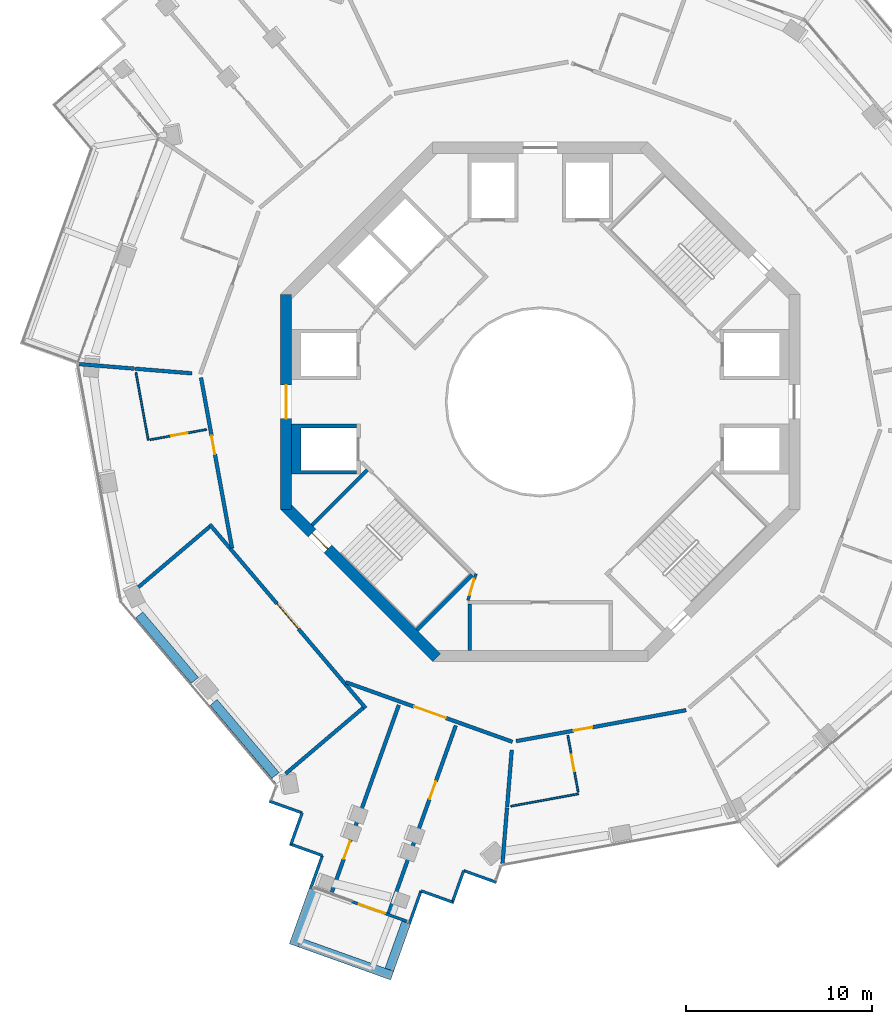
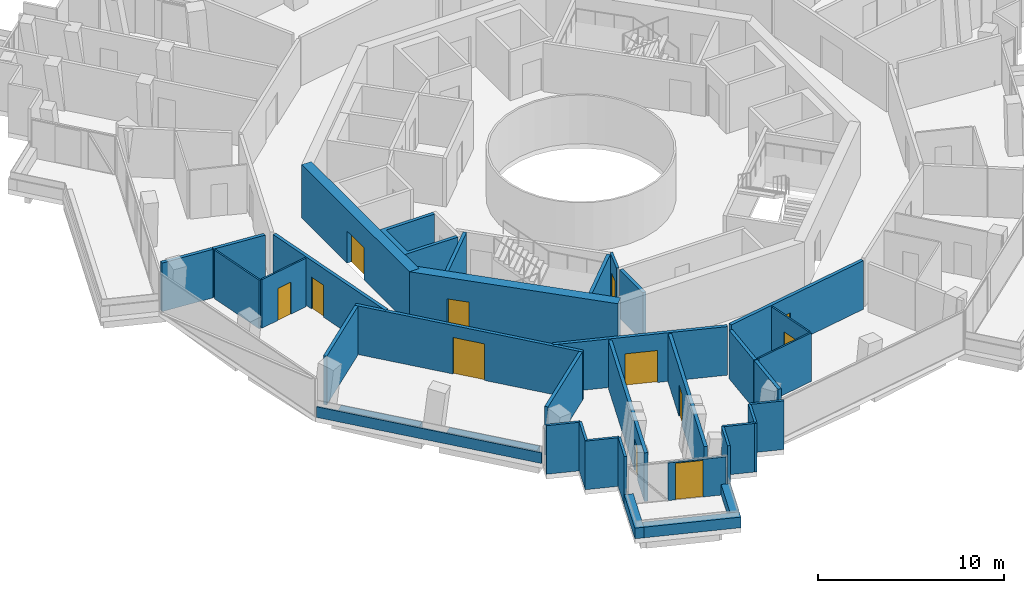
# One storey, part 14 of 21: 38 walls, 12 doors, 12 openings.
"""IFC4 building model written with IfcOpenShell, lengths in metres."""

from ifc_helpers import new_model, si_unit, direction, frame, frame_2d, origin, place, context, subcontext, project, spatial, polyline, rectangle, outline, extrude, material, layer, layer_set, type_object, element, fill, save


model = new_model("IFC4")

# Units and contexts
model_context = context("Model", 3, precision=1e-05, world=origin(), true_north=direction((0.0, 1.0)))
body_context = subcontext(model_context, "Body", "Model", "MODEL_VIEW")
ifc_project = project(units=[si_unit("LENGTHUNIT", "METRE"), si_unit("AREAUNIT", "SQUARE_METRE"), si_unit("VOLUMEUNIT", "CUBIC_METRE"), si_unit("PLANEANGLEUNIT", "RADIAN"), si_unit("MASSUNIT", "GRAM", prefix="KILO")], contexts=[model_context])

# Site, building, storey
site_placement = place(None, origin())
site = spatial("IfcSite", under=ifc_project, at=site_placement, CompositionType="ELEMENT")
building_placement = place(site_placement, origin())
building = spatial("IfcBuilding", under=site, at=building_placement, Name="Verdalira Terraces Hotel", CompositionType="ELEMENT")
storey_placement = place(building_placement, frame((0.0, 0.0, 197.5)))
storey = spatial("IfcBuildingStorey", under=building, at=storey_placement, Name="L48", CompositionType="ELEMENT", Elevation=197.5)

# Walls
ifc_material_1 = material(Name="Concrete C40", Category="concrete")
ifc_layer_1 = layer(ifc_material_1, 0.5)
ifc_layer_set_1 = layer_set([ifc_layer_1], Name="Balcony planter trough with tree")
wall_type_1 = type_object("IfcWallType", Name="Balcony planter trough with tree", PredefinedType="SOLIDWALL", material=ifc_layer_set_1)
wall_1_placement = place(storey_placement, frame((-12.214111, -26.28125, 0.0), z_axis=(0.0, 0.0, 1.0), x_axis=(-0.336805333, -0.941574303, 0.0)))
element("IfcWall", 1, at=wall_1_placement, inside=storey, type_object=wall_type_1, Name="Balcony planter", PredefinedType="SOLIDWALL", context=body_context, shape_type="SweptSolid", body=[
    extrude(rectangle(XDim=3.198975, YDim=0.5, at=frame_2d((1.599609, 0.0))), origin(), (0.0, 0.0, 1.0), 0.699951),
])
wall_2_placement = place(storey_placement, frame((-12.97168, -29.14209, 0.0), z_axis=(0.0, 0.0, 1.0), x_axis=(0.941581304, -0.336785759, 0.0)))
element("IfcWall", 2, at=wall_2_placement, inside=storey, type_object=wall_type_1, Name="Balcony planter", PredefinedType="SOLIDWALL", context=body_context, shape_type="SweptSolid", body=[
    extrude(rectangle(XDim=5.299805, YDim=0.5, at=frame_2d((2.649902, 0.0))), origin(), (0.0, 0.0, 1.0), 0.699951),
])
wall_3_placement = place(storey_placement, frame((-8.132568, -30.607422, 0.0), z_axis=(0.0, 0.0, 1.0), x_axis=(0.336748919, 0.94159448, 0.0)))
element("IfcWall", 3, at=wall_3_placement, inside=storey, type_object=wall_type_1, Name="Balcony planter", PredefinedType="SOLIDWALL", context=body_context, shape_type="SweptSolid", body=[
    extrude(rectangle(XDim=2.699219, YDim=0.5, at=frame_2d((1.349609, 0.0))), origin(), (0.0, 0.0, 1.0), 0.699951),
])
ifc_material_2 = material(Name="Moisture-resistant gypsum board partition")
ifc_layer_2 = layer(ifc_material_2, 0.10009765625)
ifc_layer_set_2 = layer_set([ifc_layer_2], Name="Bathroom partition 100 mm")
wall_type_2 = type_object("IfcWallType", Name="Bathroom partition 100 mm", PredefinedType="PARTITIONING", material=ifc_layer_set_2)
wall_4_placement = place(storey_placement, frame((-21.131104, -2.060547, 0.0), z_axis=(0.0, 0.0, 1.0), x_axis=(-0.179152249, 0.983821362, 0.0)))
element("IfcWall", 4, at=wall_4_placement, inside=storey, type_object=wall_type_2, Name="Bathroom partition", PredefinedType="PARTITIONING", context=body_context, shape_type="SweptSolid", body=[
    extrude(rectangle(XDim=3.703857, YDim=0.100098, at=frame_2d((1.852051, 0.0))), origin(), (0.0, 0.0, 1.0), 3.189941),
])

# Wall, opening, door
wall_5_placement = place(storey_placement, frame((-21.032715, -2.04248, 0.0), z_axis=(0.0, 0.0, 1.0), x_axis=(0.983832085, 0.179093353, 0.0)))
wall_5 = element("IfcWall", 5, at=wall_5_placement, inside=storey, type_object=wall_type_2, Name="Bathroom partition", PredefinedType="PARTITIONING", context=body_context, shape_type="SweptSolid", body=[
    extrude(rectangle(XDim=3.099854, YDim=0.100098, at=frame_2d((1.549805, 0.0))), origin(), (0.0, 0.0, 1.0), 3.189941),
])
opening_1_placement = place(wall_5_placement, frame((1.149902, 0.0, 0.0)))
opening_1 = element("IfcOpeningElement", 6, at=opening_1_placement, cuts=wall_5, Name="Opening L48-107", PredefinedType="OPENING", context=body_context, shape_type="SweptSolid", body=[
    extrude(rectangle(XDim=0.899902, YDim=2.100098, at=frame_2d((0.449951, 1.050049))), frame((0.0, 0.060059, 0.0), z_axis=(0.0, -1.0, 0.0), x_axis=(1.0, 0.0, 0.0)), (0.0, 0.0, 1.0), 0.120117),
])
ifc_material_3 = material(Name="Timber door", Category="wood")
door_type_1 = type_object("IfcDoorType", Name="Bathroom door 900 x 2100", OperationType="NOTDEFINED", PredefinedType="DOOR", material=ifc_material_3)
door_1_placement = place(opening_1_placement, origin())
door_1 = element("IfcDoor", 7, at=door_1_placement, inside=storey, type_object=door_type_1, Name="Bathroom door 4803", OperationType="SINGLE_SWING_LEFT", OverallHeight=2.10009765625, OverallWidth=0.89990234375, PredefinedType="DOOR", context=body_context, shape_type="SweptSolid", body=[
    extrude(rectangle(XDim=0.899902, YDim=2.100098, at=frame_2d((0.449951, 1.050049))), frame((0.0, 0.024902, 0.0), z_axis=(0.0, -1.0, 0.0), x_axis=(1.0, 0.0, 0.0)), (0.0, 0.0, 1.0), 0.050049),
])
fill(opening_1, door_1)

# Wall
wall_6_placement = place(storey_placement, frame((2.060547, -21.131104, 0.0), z_axis=(0.0, 0.0, 1.0), x_axis=(-0.983821362, -0.179152249, 0.0)))
element("IfcWall", 8, at=wall_6_placement, inside=storey, type_object=wall_type_2, Name="Bathroom partition", PredefinedType="PARTITIONING", context=body_context, shape_type="SweptSolid", body=[
    extrude(rectangle(XDim=3.703857, YDim=0.100098, at=frame_2d((1.852051, 0.0))), origin(), (0.0, 0.0, 1.0), 3.189941),
])

# Wall, opening, door
wall_7_placement = place(storey_placement, frame((2.04248, -21.032715, 0.0), z_axis=(0.0, 0.0, 1.0), x_axis=(-0.179093353, 0.983832085, 0.0)))
wall_7 = element("IfcWall", 9, at=wall_7_placement, inside=storey, type_object=wall_type_2, Name="Bathroom partition", PredefinedType="PARTITIONING", context=body_context, shape_type="SweptSolid", body=[
    extrude(rectangle(XDim=3.099854, YDim=0.100098, at=frame_2d((1.549805, 0.0))), origin(), (0.0, 0.0, 1.0), 3.189941),
])
opening_2_placement = place(wall_7_placement, frame((1.149902, 0.0, 0.0)))
opening_2 = element("IfcOpeningElement", 10, at=opening_2_placement, cuts=wall_7, Name="Opening L48-112", PredefinedType="OPENING", context=body_context, shape_type="SweptSolid", body=[
    extrude(rectangle(XDim=0.899902, YDim=2.100098, at=frame_2d((0.449951, 1.050049))), frame((0.0, 0.060059, 0.0), z_axis=(0.0, -1.0, 0.0), x_axis=(1.0, 0.0, 0.0)), (0.0, 0.0, 1.0), 0.120117),
])
door_2_placement = place(opening_2_placement, origin())
door_2 = element("IfcDoor", 11, at=door_2_placement, inside=storey, type_object=door_type_1, Name="Bathroom door 4805", OperationType="SINGLE_SWING_LEFT", OverallHeight=2.10009765625, OverallWidth=0.89990234375, PredefinedType="DOOR", context=body_context, shape_type="SweptSolid", body=[
    extrude(rectangle(XDim=0.899902, YDim=2.100098, at=frame_2d((0.449951, 1.050049))), frame((0.0, 0.024902, 0.0), z_axis=(0.0, -1.0, 0.0), x_axis=(1.0, 0.0, 0.0)), (0.0, 0.0, 1.0), 0.050049),
])
fill(opening_2, door_2)

# Walls
ifc_material_4 = material(Name="Concrete C50", Category="concrete")
ifc_layer_3 = layer(ifc_material_4, 0.199951171875)
ifc_layer_set_3 = layer_set([ifc_layer_3], Name="Core RC wall 200 C50")
wall_type_3 = type_object("IfcWallType", Name="Core RC wall 200 C50", PredefinedType="SOLIDWALL", material=ifc_layer_set_3)
wall_8_placement = place(storey_placement, origin())
element("IfcWall", 12, at=wall_8_placement, inside=storey, type_object=wall_type_3, Name="L48 shaft wall W2", PredefinedType="SOLIDWALL", context=body_context, shape_type="SweptSolid", body=[
    extrude(outline(polyline([(-13.399902, -3.899902), (-13.399902, -1.199951), (-9.899902, -1.199951), (-9.899902, -1.399902), (-12.899902, -1.399902), (-12.899902, -3.699951), (-9.899902, -3.699951), (-9.899902, -3.899902), (-13.399902, -3.899902)])), origin(), (0.0, 0.0, 1.0), 3.189941),
])
wall_9_placement = place(storey_placement, frame((-3.800049, -10.899902, 0.0), z_axis=(0.0, 0.0, 1.0), x_axis=(0.0, -1.0, 0.0)))
element("IfcWall", 13, at=wall_9_placement, inside=storey, type_object=wall_type_3, Name="L48 store side wall", PredefinedType="SOLIDWALL", context=body_context, shape_type="SweptSolid", body=[
    extrude(rectangle(XDim=2.5, YDim=0.199951, at=frame_2d((1.25, 0.0))), origin(), (0.0, 0.0, 1.0), 3.189941),
])
for number, where, z_axis, x_axis, name in (
    (14, (-9.33374, -3.677002, 0.0), (0.0, 0.0, 1.0), (-0.707135845, -0.707077716, 0.0), "L48 stair ST2 end wall 1"),
    (15, (-3.677002, -9.33374, 0.0), (0.0, 0.0, 1.0), (-0.707077716, -0.707135845, 0.0), "L48 stair ST2 end wall 2"),
):
    element("IfcWall", number, at=place(storey_placement, frame(where, z_axis=z_axis, x_axis=x_axis)), inside=storey, type_object=wall_type_3, Name=name, PredefinedType="SOLIDWALL", context=body_context, shape_type="SweptSolid", body=[
        extrude(rectangle(XDim=4.199951, YDim=0.199951, at=frame_2d((2.100098, 0.0))), origin(), (0.0, 0.0, 1.0), 3.189941),
    ])

# Wall, opening, door
ifc_material_5 = material(Name="Gypsum board partition")
ifc_layer_4 = layer(ifc_material_5, 0.14990234375)
ifc_layer_set_4 = layer_set([ifc_layer_4], Name="Core partition 150 mm")
wall_type_4 = type_object("IfcWallType", Name="Core partition 150 mm", PredefinedType="PARTITIONING", material=ifc_layer_set_4)
wall_10_placement = place(storey_placement, frame((-3.464844, -9.263184, 0.0), z_axis=(0.0, 0.0, 1.0), x_axis=(-0.289808785, -0.957084567, 0.0)))
wall_10 = element("IfcWall", 16, at=wall_10_placement, inside=storey, type_object=wall_type_4, Name="Room partition L48", PredefinedType="PARTITIONING", context=body_context, shape_type="SweptSolid", body=[
    extrude(rectangle(XDim=1.501221, YDim=0.149902, at=frame_2d((0.750488, 0.0))), origin(), (0.0, 0.0, 1.0), 3.189941),
])
opening_3_placement = place(wall_10_placement, frame((0.300781, 0.0, 0.0)))
opening_3 = element("IfcOpeningElement", 17, at=opening_3_placement, cuts=wall_10, Name="Opening L48-822", PredefinedType="OPENING", context=body_context, shape_type="SweptSolid", body=[
    extrude(rectangle(XDim=0.899902, YDim=2.100098, at=frame_2d((0.449951, 1.050049))), frame((0.0, 0.084961, 0.0), z_axis=(0.0, -1.0, 0.0), x_axis=(1.0, 0.0, 0.0)), (0.0, 0.0, 1.0), 0.169922),
])
ifc_material_6 = material(Name="Steel fire door", Category="steel")
door_type_2 = type_object("IfcDoorType", Name="Core room door 900 x 2100", OperationType="NOTDEFINED", PredefinedType="DOOR", material=ifc_material_6)
door_3_placement = place(opening_3_placement, origin())
door_3 = element("IfcDoor", 18, at=door_3_placement, inside=storey, type_object=door_type_2, Name="Door L48 room5", OperationType="SINGLE_SWING_LEFT", OverallHeight=2.10009765625, OverallWidth=0.89990234375, PredefinedType="DOOR", context=body_context, shape_type="SweptSolid", body=[
    extrude(rectangle(XDim=0.899902, YDim=2.100098, at=frame_2d((0.449951, 1.050049))), frame((0.0, 0.024902, 0.0), z_axis=(0.0, -1.0, 0.0), x_axis=(1.0, 0.0, 0.0)), (0.0, 0.0, 1.0), 0.050049),
])
fill(opening_3, door_3)

ifc_material_7 = material(Name="Concrete C60", Category="concrete")
ifc_layer_5 = layer(ifc_material_7, 0.60009765625)
ifc_layer_set_5 = layer_set([ifc_layer_5], Name="Core wall 600 C60")
wall_type_5 = type_object("IfcWallType", Name="Core wall 600 C60", PredefinedType="SHEAR", material=ifc_layer_set_5)
wall_11_placement = place(storey_placement, frame((-13.699951, 5.799072, 0.0), z_axis=(0.0, 0.0, 1.0), x_axis=(0.0, -1.0, 0.0)))
wall_11 = element("IfcWall", 19, at=wall_11_placement, inside=storey, type_object=wall_type_5, Name="Core wall CW-L48-5", PredefinedType="SHEAR", context=body_context, shape_type="SweptSolid", body=[
    extrude(rectangle(XDim=11.598145, YDim=0.600098, at=frame_2d((5.799072, 0.0))), origin(), (0.0, 0.0, 1.0), 3.5),
])
opening_4_placement = place(wall_11_placement, frame((4.898926, 0.0, 0.0)))
opening_4 = element("IfcOpeningElement", 20, at=opening_4_placement, cuts=wall_11, Name="Opening L48-815", PredefinedType="OPENING", context=body_context, shape_type="SweptSolid", body=[
    extrude(rectangle(XDim=1.800049, YDim=2.100098, at=frame_2d((0.899902, 1.050049))), frame((0.0, 0.310059, 0.0), z_axis=(0.0, -1.0, 0.0), x_axis=(1.0, 0.0, 0.0)), (0.0, 0.0, 1.0), 0.620117),
])
ifc_material_8 = material(Name="Steel fire door", Category="steel")
door_type_3 = type_object("IfcDoorType", Name="Core entry door pair 1800 x 2100", OperationType="NOTDEFINED", PredefinedType="DOOR", material=ifc_material_8)
door_4_placement = place(opening_4_placement, origin())
door_4 = element("IfcDoor", 21, at=door_4_placement, inside=storey, type_object=door_type_3, Name="Core entry door L48 4", OperationType="DOUBLE_DOOR_SINGLE_SWING", OverallHeight=2.10009765625, OverallWidth=1.800048828125, PredefinedType="DOOR", context=body_context, shape_type="SweptSolid", body=[
    extrude(rectangle(XDim=1.800049, YDim=2.100098, at=frame_2d((0.899902, 1.050049))), frame((0.0, 0.024902, 0.0), z_axis=(0.0, -1.0, 0.0), x_axis=(1.0, 0.0, 0.0)), (0.0, 0.0, 1.0), 0.050049),
])
fill(opening_4, door_4)

wall_12_placement = place(storey_placement, frame((-13.787842, -5.586914, 0.0), z_axis=(0.0, 0.0, 1.0), x_axis=(0.707106781, -0.707106781, 0.0)))
wall_12 = element("IfcWall", 22, at=wall_12_placement, inside=storey, type_object=wall_type_5, Name="Core wall CW-L48-6", PredefinedType="SHEAR", context=body_context, shape_type="SweptSolid", body=[
    extrude(rectangle(XDim=11.5979, YDim=0.600098, at=frame_2d((5.798828, 0.0))), origin(), (0.0, 0.0, 1.0), 3.5),
])
opening_5_placement = place(wall_12_placement, frame((2.099121, 0.0, 0.0)))
opening_5 = element("IfcOpeningElement", 23, at=opening_5_placement, cuts=wall_12, Name="Opening L48-817", PredefinedType="OPENING", context=body_context, shape_type="SweptSolid", body=[
    extrude(rectangle(XDim=1.199951, YDim=2.100098, at=frame_2d((0.600098, 1.050049))), frame((0.0, 0.310059, 0.0), z_axis=(0.0, -1.0, 0.0), x_axis=(1.0, 0.0, 0.0)), (0.0, 0.0, 1.0), 0.620117),
])
ifc_material_9 = material(Name="Steel fire door", Category="steel")
door_type_4 = type_object("IfcDoorType", Name="Stair door 1200 x 2100", OperationType="NOTDEFINED", PredefinedType="DOOR", material=ifc_material_9)
door_5_placement = place(opening_5_placement, origin())
door_5 = element("IfcDoor", 24, at=door_5_placement, inside=storey, type_object=door_type_4, Name="Stair exit door ST2 L48", OperationType="SINGLE_SWING_LEFT", OverallHeight=2.10009765625, OverallWidth=1.199951171875, PredefinedType="DOOR", context=body_context, shape_type="SweptSolid", body=[
    extrude(rectangle(XDim=1.199951, YDim=2.100098, at=frame_2d((0.600098, 1.050049))), frame((0.0, 0.024902, 0.0), z_axis=(0.0, -1.0, 0.0), x_axis=(1.0, 0.0, 0.0)), (0.0, 0.0, 1.0), 0.050049),
])
fill(opening_5, door_5)

# Walls
ifc_material_10 = material(Name="Fire-rated gypsum board wall")
ifc_layer_6 = layer(ifc_material_10, 0.199951171875)
ifc_layer_set_6 = layer_set([ifc_layer_6], Name="Demising wall 200 mm")
wall_type_6 = type_object("IfcWallType", Name="Demising wall 200 mm", PredefinedType="SOLIDWALL", material=ifc_layer_set_6)
wall_13_placement = place(storey_placement, frame((-21.879395, 1.791016, 0.0), z_axis=(0.0, 0.0, 1.0), x_axis=(-0.996662173, 0.081636474, 0.0)))
element("IfcWall", 25, at=wall_13_placement, inside=storey, type_object=wall_type_6, Name="Demising wall", PredefinedType="SOLIDWALL", context=body_context, shape_type="SweptSolid", body=[
    extrude(rectangle(XDim=3.011475, YDim=0.199951, at=frame_2d((1.505859, 0.0))), origin(), (0.0, 0.0, 1.0), 3.189941),
])
wall_14_placement = place(storey_placement, frame((-18.769287, 1.536621, 0.0), z_axis=(0.0, 0.0, 1.0), x_axis=(-0.996669487, 0.081547129, 0.0)))
element("IfcWall", 26, at=wall_14_placement, inside=storey, type_object=wall_type_6, Name="Demising wall", PredefinedType="SOLIDWALL", context=body_context, shape_type="SweptSolid", body=[
    extrude(rectangle(XDim=3.074707, YDim=0.199951, at=frame_2d((1.537354, 0.0))), origin(), (0.0, 0.0, 1.0), 3.189941),
])

# Wall, opening, door
wall_15_placement = place(storey_placement, frame((-11.24585, -26.467041, 0.0), z_axis=(0.0, 0.0, 1.0), x_axis=(0.336776598, 0.941584581, 0.0)))
wall_15 = element("IfcWall", 27, at=wall_15_placement, inside=storey, type_object=wall_type_6, Name="Demising wall", PredefinedType="SOLIDWALL", context=body_context, shape_type="SweptSolid", body=[
    extrude(rectangle(XDim=10.75, YDim=0.199951, at=frame_2d((5.375, 0.0))), origin(), (0.0, 0.0, 1.0), 3.189941),
])
opening_6_placement = place(wall_15_placement, frame((1.949951, 0.0, 0.0)))
opening_6 = element("IfcOpeningElement", 28, at=opening_6_placement, cuts=wall_15, Name="Opening L48-109", PredefinedType="OPENING", context=body_context, shape_type="SweptSolid", body=[
    extrude(rectangle(XDim=1.0, YDim=2.100098, at=frame_2d((0.5, 1.050049))), frame((0.0, 0.109863, 0.0), z_axis=(0.0, -1.0, 0.0), x_axis=(1.0, 0.0, 0.0)), (0.0, 0.0, 1.0), 0.219971),
])
ifc_material_11 = material(Name="Timber fire door", Category="wood")
door_type_5 = type_object("IfcDoorType", Name="Public room door 1000 x 2100", OperationType="NOTDEFINED", PredefinedType="DOOR", material=ifc_material_11)
door_6_placement = place(opening_6_placement, origin())
door_6 = element("IfcDoor", 29, at=door_6_placement, inside=storey, type_object=door_type_5, Name="Public room door 4804", OperationType="SINGLE_SWING_LEFT", OverallHeight=2.10009765625, OverallWidth=1.0, PredefinedType="DOOR", context=body_context, shape_type="SweptSolid", body=[
    extrude(rectangle(XDim=1.0, YDim=2.100098, at=frame_2d((0.5, 1.050049))), frame((0.0, 0.024902, 0.0), z_axis=(0.0, -1.0, 0.0), x_axis=(1.0, 0.0, 0.0)), (0.0, 0.0, 1.0), 0.050049),
])
fill(opening_6, door_6)

wall_16_placement = place(storey_placement, frame((-4.551514, -17.44458, 0.0), z_axis=(0.0, 0.0, 1.0), x_axis=(-0.3367838, -0.941582005, 0.0)))
wall_16 = element("IfcWall", 30, at=wall_16_placement, inside=storey, type_object=wall_type_6, Name="Demising wall", PredefinedType="SOLIDWALL", context=body_context, shape_type="SweptSolid", body=[
    extrude(rectangle(XDim=10.749756, YDim=0.199951, at=frame_2d((5.375, 0.0))), origin(), (0.0, 0.0, 1.0), 3.189941),
])
opening_7_placement = place(wall_16_placement, frame((3.199951, 0.0, 0.0)))
opening_7 = element("IfcOpeningElement", 31, at=opening_7_placement, cuts=wall_16, Name="Opening L48-110", PredefinedType="OPENING", context=body_context, shape_type="SweptSolid", body=[
    extrude(rectangle(XDim=1.0, YDim=2.100098, at=frame_2d((0.5, 1.050049))), frame((0.0, 0.109863, 0.0), z_axis=(0.0, -1.0, 0.0), x_axis=(1.0, 0.0, 0.0)), (0.0, 0.0, 1.0), 0.219971),
])
door_7_placement = place(opening_7_placement, origin())
door_7 = element("IfcDoor", 32, at=door_7_placement, inside=storey, type_object=door_type_5, Name="Public room door 4804", OperationType="SINGLE_SWING_LEFT", OverallHeight=2.10009765625, OverallWidth=1.0, PredefinedType="DOOR", context=body_context, shape_type="SweptSolid", body=[
    extrude(rectangle(XDim=1.0, YDim=2.100098, at=frame_2d((0.5, 1.050049))), frame((0.0, 0.024902, 0.0), z_axis=(0.0, -1.0, 0.0), x_axis=(1.0, 0.0, 0.0)), (0.0, 0.0, 1.0), 0.050049),
])
fill(opening_7, door_7)

# Walls
wall_17_placement = place(storey_placement, frame((-1.791016, -21.879395, 0.0), z_axis=(0.0, 0.0, 1.0), x_axis=(-0.081636474, -0.996662173, 0.0)))
element("IfcWall", 33, at=wall_17_placement, inside=storey, type_object=wall_type_6, Name="Demising wall", PredefinedType="SOLIDWALL", context=body_context, shape_type="SweptSolid", body=[
    extrude(rectangle(XDim=3.011475, YDim=0.199951, at=frame_2d((1.505859, 0.0))), origin(), (0.0, 0.0, 1.0), 3.189941),
])
wall_18_placement = place(storey_placement, frame((-1.536621, -18.769287, 0.0), z_axis=(0.0, 0.0, 1.0), x_axis=(-0.081547129, -0.996669487, 0.0)))
element("IfcWall", 34, at=wall_18_placement, inside=storey, type_object=wall_type_6, Name="Demising wall", PredefinedType="SOLIDWALL", context=body_context, shape_type="SweptSolid", body=[
    extrude(rectangle(XDim=3.074707, YDim=0.199951, at=frame_2d((1.537354, 0.0))), origin(), (0.0, 0.0, 1.0), 3.189941),
])

# Wall, opening, door
ifc_material_12 = material(Name="Fire-rated gypsum board wall")
ifc_layer_7 = layer(ifc_material_12, 0.199951171875)
ifc_layer_set_7 = layer_set([ifc_layer_7], Name="Guest corridor wall 200 mm")
wall_type_7 = type_object("IfcWallType", Name="Guest corridor wall 200 mm", PredefinedType="SOLIDWALL", material=ifc_layer_set_7)
wall_19_placement = place(storey_placement, frame((-16.61499, -7.882324, 0.0), z_axis=(0.0, 0.0, 1.0), x_axis=(-0.179145456, 0.983822599, 0.0)))
wall_19 = element("IfcWall", 35, at=wall_19_placement, inside=storey, type_object=wall_type_7, Name="Guest corridor wall", PredefinedType="SOLIDWALL", context=body_context, shape_type="SweptSolid", body=[
    extrude(rectangle(XDim=9.33667, YDim=0.199951, at=frame_2d((4.668457, 0.0))), origin(), (0.0, 0.0, 1.0), 3.189941),
])
opening_8_placement = place(wall_19_placement, frame((5.149902, 0.0, 0.0)))
opening_8 = element("IfcOpeningElement", 36, at=opening_8_placement, cuts=wall_19, Name="Opening L48-106", PredefinedType="OPENING", context=body_context, shape_type="SweptSolid", body=[
    extrude(rectangle(XDim=1.0, YDim=2.100098, at=frame_2d((0.5, 1.050049))), frame((0.0, 0.109863, 0.0), z_axis=(0.0, -1.0, 0.0), x_axis=(1.0, 0.0, 0.0)), (0.0, 0.0, 1.0), 0.219971),
])
ifc_material_13 = material(Name="Timber fire door", Category="wood")
door_type_6 = type_object("IfcDoorType", Name="Guest entry door 1000 x 2100", OperationType="NOTDEFINED", PredefinedType="DOOR", material=ifc_material_13)
door_8_placement = place(opening_8_placement, origin())
door_8 = element("IfcDoor", 37, at=door_8_placement, inside=storey, type_object=door_type_6, Name="Guest entry door 4803", OperationType="SINGLE_SWING_LEFT", OverallHeight=2.10009765625, OverallWidth=1.0, PredefinedType="DOOR", context=body_context, shape_type="SweptSolid", body=[
    extrude(rectangle(XDim=1.0, YDim=2.100098, at=frame_2d((0.5, 1.050049))), frame((0.0, 0.024902, 0.0), z_axis=(0.0, -1.0, 0.0), x_axis=(1.0, 0.0, 0.0)), (0.0, 0.0, 1.0), 0.050049),
])
fill(opening_8, door_8)

wall_20_placement = place(storey_placement, frame((-1.5, -18.323486, 0.0), z_axis=(0.0, 0.0, 1.0), x_axis=(-0.941585427, 0.336774233, 0.0)))
wall_20 = element("IfcWall", 38, at=wall_20_placement, inside=storey, type_object=wall_type_7, Name="Guest corridor wall", PredefinedType="SOLIDWALL", context=body_context, shape_type="SweptSolid", body=[
    extrude(rectangle(XDim=9.536621, YDim=0.199951, at=frame_2d((4.768311, 0.0))), origin(), (0.0, 0.0, 1.0), 3.189941),
])
opening_9_placement = place(wall_20_placement, frame((3.819336, 0.0, 0.0)))
opening_9 = element("IfcOpeningElement", 39, at=opening_9_placement, cuts=wall_20, Name="Opening L48-108", PredefinedType="OPENING", context=body_context, shape_type="SweptSolid", body=[
    extrude(rectangle(XDim=1.800049, YDim=2.100098, at=frame_2d((0.899902, 1.050049))), frame((0.0, 0.109863, 0.0), z_axis=(0.0, -1.0, 0.0), x_axis=(1.0, 0.0, 0.0)), (0.0, 0.0, 1.0), 0.219971),
])
ifc_material_14 = material(Name="Timber fire door", Category="wood")
door_type_7 = type_object("IfcDoorType", Name="Public room double door 1800 x 2100", OperationType="NOTDEFINED", PredefinedType="DOOR", material=ifc_material_14)
door_9_placement = place(opening_9_placement, origin())
door_9 = element("IfcDoor", 40, at=door_9_placement, inside=storey, type_object=door_type_7, Name="Public room double door 4804", OperationType="DOUBLE_DOOR_SINGLE_SWING", OverallHeight=2.10009765625, OverallWidth=1.800048828125, PredefinedType="DOOR", context=body_context, shape_type="SweptSolid", body=[
    extrude(rectangle(XDim=1.800049, YDim=2.100098, at=frame_2d((0.899902, 1.050049))), frame((0.0, 0.024902, 0.0), z_axis=(0.0, -1.0, 0.0), x_axis=(1.0, 0.0, 0.0)), (0.0, 0.0, 1.0), 0.050049),
])
fill(opening_9, door_9)

wall_21_placement = place(storey_placement, frame((7.862549, -16.618652, 0.0), z_axis=(0.0, 0.0, 1.0), x_axis=(-0.983823756, -0.179139099, 0.0)))
wall_21 = element("IfcWall", 41, at=wall_21_placement, inside=storey, type_object=wall_type_7, Name="Guest corridor wall", PredefinedType="SOLIDWALL", context=body_context, shape_type="SweptSolid", body=[
    extrude(rectangle(XDim=9.316406, YDim=0.199951, at=frame_2d((4.658203, 0.0))), origin(), (0.0, 0.0, 1.0), 3.189941),
])
opening_10_placement = place(wall_21_placement, frame((5.149902, 0.0, 0.0)))
opening_10 = element("IfcOpeningElement", 42, at=opening_10_placement, cuts=wall_21, Name="Opening L48-111", PredefinedType="OPENING", context=body_context, shape_type="SweptSolid", body=[
    extrude(rectangle(XDim=1.0, YDim=2.100098, at=frame_2d((0.5, 1.050049))), frame((0.0, 0.109863, 0.0), z_axis=(0.0, -1.0, 0.0), x_axis=(1.0, 0.0, 0.0)), (0.0, 0.0, 1.0), 0.219971),
])
door_10_placement = place(opening_10_placement, origin())
door_10 = element("IfcDoor", 43, at=door_10_placement, inside=storey, type_object=door_type_6, Name="Guest entry door 4805", OperationType="SINGLE_SWING_LEFT", OverallHeight=2.10009765625, OverallWidth=1.0, PredefinedType="DOOR", context=body_context, shape_type="SweptSolid", body=[
    extrude(rectangle(XDim=1.0, YDim=2.100098, at=frame_2d((0.5, 1.050049))), frame((0.0, 0.024902, 0.0), z_axis=(0.0, -1.0, 0.0), x_axis=(1.0, 0.0, 0.0)), (0.0, 0.0, 1.0), 0.050049),
])
fill(opening_10, door_10)

ifc_material_15 = material(Name="Terracotta cladding", Category="masonry")
ifc_layer_8 = layer(ifc_material_15, 0.199951171875)
ifc_layer_set_8 = layer_set([ifc_layer_8], Name="Loggia back wall 200")
wall_type_8 = type_object("IfcWallType", Name="Loggia back wall 200", PredefinedType="SOLIDWALL", material=ifc_layer_set_8)
wall_22_placement = place(storey_placement, frame((-9.410156, -16.51123, 0.0), z_axis=(0.0, 0.0, 1.0), x_axis=(-0.647046931, 0.762450175, 0.0)))
wall_22 = element("IfcWall", 44, at=wall_22_placement, inside=storey, type_object=wall_type_8, Name="Loggia back wall", PredefinedType="SOLIDWALL", context=body_context, shape_type="SweptSolid", body=[
    extrude(rectangle(XDim=13.0, YDim=0.199951, at=frame_2d((6.5, 0.0))), origin(), (0.0, 0.0, 1.0), 3.189941),
])
opening_11_placement = place(wall_22_placement, frame((5.600098, 0.0, 0.0)))
opening_11 = element("IfcOpeningElement", 45, at=opening_11_placement, cuts=wall_22, Name="Opening L48-L01", PredefinedType="OPENING", context=body_context, shape_type="SweptSolid", body=[
    extrude(rectangle(XDim=1.800049, YDim=2.399902, at=frame_2d((0.899902, 1.199951))), frame((0.0, 0.109863, 0.0), z_axis=(0.0, -1.0, 0.0), x_axis=(1.0, 0.0, 0.0)), (0.0, 0.0, 1.0), 0.219971),
])
ifc_material_16 = material(Name="Clear glass", Category="glass")
door_type_8 = type_object("IfcDoorType", Name="Garden double door 1800x2400", OperationType="NOTDEFINED", PredefinedType="DOOR", material=ifc_material_16)
door_11_placement = place(opening_11_placement, origin())
door_11 = element("IfcDoor", 46, at=door_11_placement, inside=storey, type_object=door_type_8, Name="Loggia double door", OperationType="DOUBLE_DOOR_SINGLE_SWING", OverallHeight=2.39990234375, OverallWidth=1.800048828125, PredefinedType="DOOR", context=body_context, shape_type="SweptSolid", body=[
    extrude(rectangle(XDim=1.800049, YDim=2.399902, at=frame_2d((0.899902, 1.199951))), frame((0.0, 0.024902, 0.0), z_axis=(0.0, -1.0, 0.0), x_axis=(1.0, 0.0, 0.0)), (0.0, 0.0, 1.0), 0.050049),
])
fill(opening_11, door_11)

# Walls
wall_23_placement = place(storey_placement, frame((-21.661377, -9.989258, 0.0), z_axis=(0.0, 0.0, 1.0), x_axis=(0.762442982, 0.647055406, 0.0)))
element("IfcWall", 47, at=wall_23_placement, inside=storey, type_object=wall_type_8, Name="Loggia side wall", PredefinedType="SOLIDWALL", context=body_context, shape_type="SweptSolid", body=[
    extrude(rectangle(XDim=5.020752, YDim=0.199951, at=frame_2d((2.510254, 0.0))), origin(), (0.0, 0.0, 1.0), 3.189941),
])
wall_24_placement = place(storey_placement, frame((-13.724121, -20.04126, 0.0), z_axis=(0.0, 0.0, 1.0), x_axis=(0.76244645, 0.64705132, 0.0)))
element("IfcWall", 48, at=wall_24_placement, inside=storey, type_object=wall_type_8, Name="Loggia side wall", PredefinedType="SOLIDWALL", context=body_context, shape_type="SweptSolid", body=[
    extrude(rectangle(XDim=5.473389, YDim=0.199951, at=frame_2d((2.736816, 0.0))), origin(), (0.0, 0.0, 1.0), 3.189941),
])
ifc_material_17 = material(Name="Concrete C40", Category="concrete")
ifc_layer_9 = layer(ifc_material_17, 0.5)
ifc_layer_set_9 = layer_set([ifc_layer_9], Name="Loggia planter trough with tree")
wall_type_9 = type_object("IfcWallType", Name="Loggia planter trough with tree", PredefinedType="SOLIDWALL", material=ifc_layer_set_9)
wall_25_placement = place(storey_placement, frame((-21.614502, -11.480469, 0.0), z_axis=(0.0, 0.0, 1.0), x_axis=(0.64706844, -0.762431921, 0.0)))
element("IfcWall", 49, at=wall_25_placement, inside=storey, type_object=wall_type_9, Name="Loggia planter", PredefinedType="SOLIDWALL", context=body_context, shape_type="SweptSolid", body=[
    extrude(rectangle(XDim=4.632568, YDim=0.5, at=frame_2d((2.316406, 0.0))), origin(), (0.0, 0.0, 1.0), 0.699951),
])
wall_26_placement = place(storey_placement, frame((-17.606689, -16.202881, 0.0), z_axis=(0.0, 0.0, 1.0), x_axis=(0.647056759, -0.762441834, 0.0)))
element("IfcWall", 50, at=wall_26_placement, inside=storey, type_object=wall_type_9, Name="Loggia planter", PredefinedType="SOLIDWALL", context=body_context, shape_type="SweptSolid", body=[
    extrude(rectangle(XDim=5.1521, YDim=0.5, at=frame_2d((2.576172, 0.0))), origin(), (0.0, 0.0, 1.0), 0.699951),
])
ifc_material_18 = material(Name="Concrete C40", Category="concrete")
ifc_layer_10 = layer(ifc_material_18, 0.10009765625)
ifc_layer_set_10 = layer_set([ifc_layer_10], Name="Loggia upstand 100")
wall_type_10 = type_object("IfcWallType", Name="Loggia upstand 100", PredefinedType="SOLIDWALL", material=ifc_layer_set_10)
wall_27_placement = place(storey_placement, frame((-22.611572, -10.769287, 0.0), z_axis=(0.0, 0.0, 1.0), x_axis=(0.647050477, -0.762447166, 0.0)))
element("IfcWall", 51, at=wall_27_placement, inside=storey, type_object=wall_type_10, Name="Loggia upstand", PredefinedType="SOLIDWALL", context=body_context, shape_type="SweptSolid", body=[
    extrude(rectangle(XDim=12.839844, YDim=0.100098, at=frame_2d((6.419922, 0.0))), origin(), (0.0, 0.0, 1.0), 0.699951),
])
ifc_material_19 = material(Name="Terracotta cladding", Category="masonry")
ifc_layer_11 = layer(ifc_material_19, 0.14990234375)
ifc_layer_set_11 = layer_set([ifc_layer_11], Name="Terracotta clad wall 150")
wall_type_11 = type_object("IfcWallType", Name="Terracotta clad wall 150", PredefinedType="SOLIDWALL", material=ifc_layer_set_11)
wall_28_placement = place(storey_placement, frame((-14.601318, -21.523438, 0.0), z_axis=(0.0, 0.0, 1.0), x_axis=(0.94161223, -0.336699285, 0.0)))
element("IfcWall", 52, at=wall_28_placement, inside=storey, type_object=wall_type_11, Name="Terracotta cladding wall", PredefinedType="SOLIDWALL", context=body_context, shape_type="SweptSolid", body=[
    extrude(rectangle(XDim=1.875, YDim=0.149902, at=frame_2d((0.9375, 0.0))), origin(), (0.0, 0.0, 1.0), 3.189941),
])
wall_29_placement = place(storey_placement, frame((-12.835693, -22.154785, 0.0), z_axis=(0.0, 0.0, 1.0), x_axis=(-0.336783159, -0.941582234, 0.0)))
element("IfcWall", 53, at=wall_29_placement, inside=storey, type_object=wall_type_11, Name="Terracotta cladding wall", PredefinedType="SOLIDWALL", context=body_context, shape_type="SweptSolid", body=[
    extrude(rectangle(XDim=1.800049, YDim=0.149902, at=frame_2d((0.899902, 0.0))), origin(), (0.0, 0.0, 1.0), 3.189941),
])
for number, where, z_axis, x_axis, name in (
    (54, (-13.512451, -23.824463, 0.0), (0.0, 0.0, 1.0), (0.941597467, -0.336740568, 0.0), "Terracotta cladding wall"),
    (55, (-11.74707, -24.455811, 0.0), (0.0, 0.0, 1.0), (-0.336740568, -0.941597467, 0.0), "Terracotta cladding wall"),
    (56, (-7.058594, -28.124023, 0.0), (0.0, 0.0, 1.0), (0.336856012, 0.941556173, 0.0), "Terracotta cladding wall"),
):
    element("IfcWall", number, at=place(storey_placement, frame(where, z_axis=z_axis, x_axis=x_axis)), inside=storey, type_object=wall_type_11, Name=name, PredefinedType="SOLIDWALL", context=body_context, shape_type="SweptSolid", body=[
        extrude(rectangle(XDim=1.875, YDim=0.149902, at=frame_2d((0.9375, 0.0))), origin(), (0.0, 0.0, 1.0), 3.189941),
    ])
wall_30_placement = place(storey_placement, frame((-6.427002, -26.358643, 0.0), z_axis=(0.0, 0.0, 1.0), x_axis=(0.941582234, -0.336783159, 0.0)))
element("IfcWall", 57, at=wall_30_placement, inside=storey, type_object=wall_type_11, Name="Terracotta cladding wall", PredefinedType="SOLIDWALL", context=body_context, shape_type="SweptSolid", body=[
    extrude(rectangle(XDim=1.800049, YDim=0.149902, at=frame_2d((0.899902, 0.0))), origin(), (0.0, 0.0, 1.0), 3.189941),
])
wall_31_placement = place(storey_placement, frame((-4.757568, -27.0354, 0.0), z_axis=(0.0, 0.0, 1.0), x_axis=(0.336814717, 0.941570946, 0.0)))
element("IfcWall", 58, at=wall_31_placement, inside=storey, type_object=wall_type_11, Name="Terracotta cladding wall", PredefinedType="SOLIDWALL", context=body_context, shape_type="SweptSolid", body=[
    extrude(rectangle(XDim=1.875244, YDim=0.149902, at=frame_2d((0.9375, 0.0))), origin(), (0.0, 0.0, 1.0), 3.189941),
])
wall_32_placement = place(storey_placement, frame((-4.125977, -25.269775, 0.0), z_axis=(0.0, 0.0, 1.0), x_axis=(0.941556173, -0.336856012, 0.0)))
element("IfcWall", 59, at=wall_32_placement, inside=storey, type_object=wall_type_11, Name="Terracotta cladding wall", PredefinedType="SOLIDWALL", context=body_context, shape_type="SweptSolid", body=[
    extrude(rectangle(XDim=1.875, YDim=0.149902, at=frame_2d((0.9375, 0.0))), origin(), (0.0, 0.0, 1.0), 3.189941),
])

# Wall, opening, door
ifc_material_20 = material(Name="Terracotta cladding", Category="masonry")
ifc_layer_12 = layer(ifc_material_20, 0.14990234375)
ifc_layer_set_12 = layer_set([ifc_layer_12], Name="Terracotta door pier 150")
wall_type_12 = type_object("IfcWallType", Name="Terracotta door pier 150", PredefinedType="SOLIDWALL", material=ifc_layer_set_12)
wall_33_placement = place(storey_placement, frame((-10.154541, -26.937012, 0.0), z_axis=(0.0, 0.0, 1.0), x_axis=(0.941582739, -0.336781748, 0.0)))
wall_33 = element("IfcWall", 60, at=wall_33_placement, inside=storey, type_object=wall_type_12, Name="Terracotta door pier", PredefinedType="SOLIDWALL", context=body_context, shape_type="SweptSolid", body=[
    extrude(rectangle(XDim=3.159912, YDim=0.149902, at=frame_2d((1.580078, 0.0))), origin(), (0.0, 0.0, 1.0), 2.475098),
])
opening_12_placement = place(wall_33_placement, frame((0.399902, 0.0, 0.0)))
opening_12 = element("IfcOpeningElement", 61, at=opening_12_placement, cuts=wall_33, Name="Opening L48-B06", PredefinedType="OPENING", context=body_context, shape_type="SweptSolid", body=[
    extrude(rectangle(XDim=1.5, YDim=2.399902, at=frame_2d((0.75, 1.199951))), frame((0.0, 0.084961, 0.0), z_axis=(0.0, -1.0, 0.0), x_axis=(1.0, 0.0, 0.0)), (0.0, 0.0, 1.0), 0.169922),
])
ifc_material_21 = material(Name="Clear glass", Category="glass")
door_type_9 = type_object("IfcDoorType", Name="Balcony sliding door 1500x2400", OperationType="NOTDEFINED", PredefinedType="DOOR", material=ifc_material_21)
door_12_placement = place(opening_12_placement, origin())
door_12 = element("IfcDoor", 62, at=door_12_placement, inside=storey, type_object=door_type_9, Name="Balcony sliding door", OperationType="SLIDING_TO_RIGHT", OverallHeight=2.39990234375, OverallWidth=1.5, PredefinedType="DOOR", context=body_context, shape_type="SweptSolid", body=[
    extrude(rectangle(XDim=1.5, YDim=2.399902, at=frame_2d((0.75, 1.199951))), frame((0.0, 0.024902, 0.0), z_axis=(0.0, -1.0, 0.0), x_axis=(1.0, 0.0, 0.0)), (0.0, 0.0, 1.0), 0.050049),
])
fill(opening_12, door_12)

save(model, "model.ifc")
